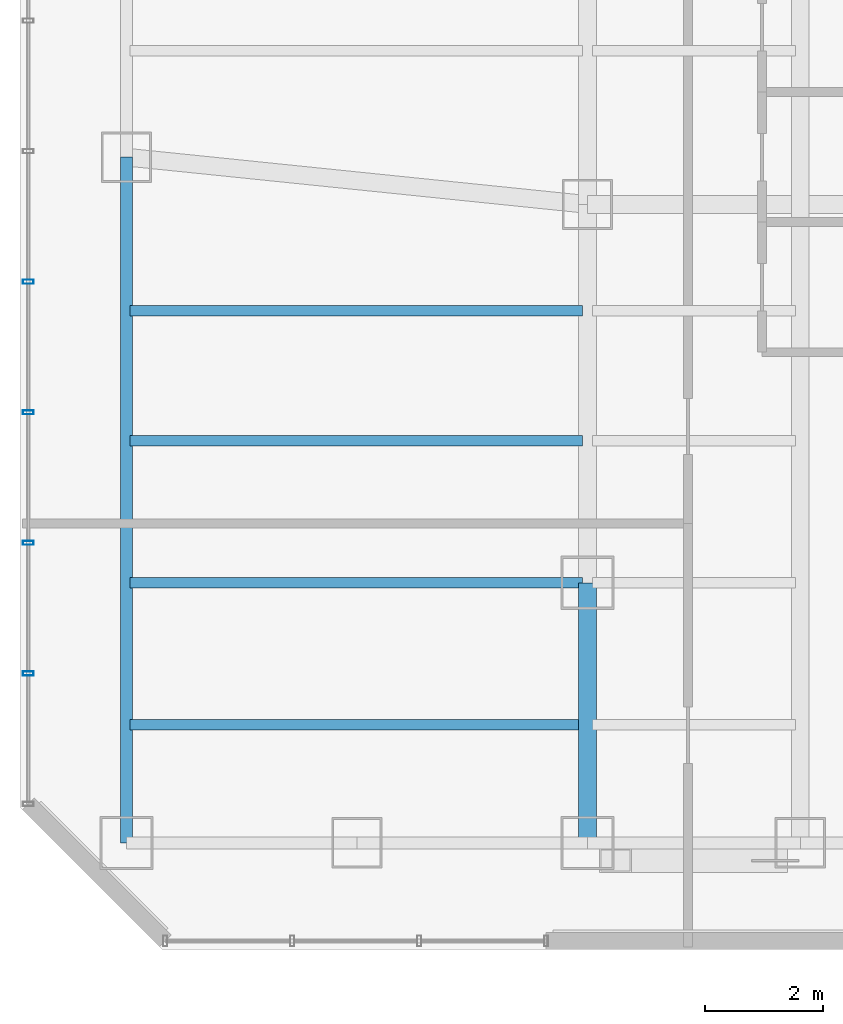
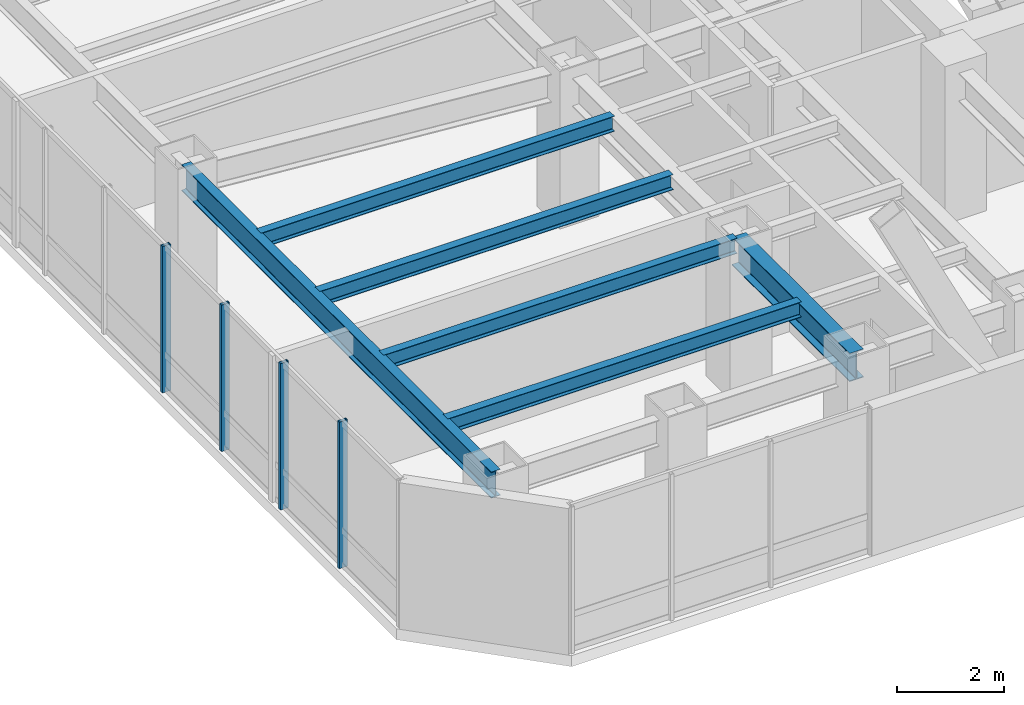
# One storey, part 4 of 30: 6 beams, 4 members, 1 element without a shape of its own.
"""IFC4 building model written with IfcOpenShell, lengths in metres."""

from ifc_helpers import new_model, si_unit, direction, frame, origin, origin_2d, place, context, subcontext, project, spatial, hollow_rectangle, i_section, extrude, material, layer, layer_set, material_profile, profile_set, type_object, element, aggregate, save


model = new_model("IFC4")

# Units and contexts
model_context = context("Model", 3, precision=1e-05, world=origin(), true_north=direction((0.0, 1.0)))
body_context = subcontext(model_context, "Body", "Model", "MODEL_VIEW")
ifc_project = project(units=[si_unit("LENGTHUNIT", "METRE"), si_unit("AREAUNIT", "SQUARE_METRE"), si_unit("VOLUMEUNIT", "CUBIC_METRE"), si_unit("PLANEANGLEUNIT", "RADIAN"), si_unit("MASSUNIT", "GRAM", prefix="KILO")], contexts=[model_context])

# Site, building, storey
site_placement = place(None, origin())
site = spatial("IfcSite", under=ifc_project, at=site_placement, CompositionType="ELEMENT")
building_placement = place(site_placement, origin())
building = spatial("IfcBuilding", under=site, at=building_placement, Name="Hatsunagi Terrace Concourse", CompositionType="ELEMENT")
storey_placement = place(building_placement, frame((0.0, 0.0, 101.25)))
storey = spatial("IfcBuildingStorey", under=building, at=storey_placement, Name="L26", CompositionType="ELEMENT", Elevation=101.25)

# Curtain wall, members
ifc_material_1 = material(Name="Anodised Aluminium Alloy 6063-T5", Category="aluminium")
ifc_layer = layer(ifc_material_1, 0.199951171875)
ifc_layer_set = layer_set([ifc_layer], Name="OfficeZone1_CW03")
curtain_wall_type = type_object("IfcCurtainWallType", Name="OfficeZone1_CW03", PredefinedType="NOTDEFINED", material=ifc_layer_set)
curtain_wall_placement = place(storey_placement, origin())
curtain_wall = element("IfcCurtainWall", 1, at=curtain_wall_placement, inside=storey, type_object=curtain_wall_type, Name="Unitised Curtain Wall CW-03 CW-L26-09", PredefinedType="NOTDEFINED")
ifc_material_2 = material(Name="Anodised Aluminium Alloy 6063-T5", Category="aluminium")
ifc_material_profile_1 = material_profile(ifc_material_2, hollow_rectangle(XDim=0.070068359375, YDim=0.179931640625, WallThickness=0.00390625, at=origin_2d()), Name="ALU-MUL-180x70x4")
ifc_profile_set_1 = profile_set([ifc_material_profile_1], Name="Anodised Aluminium Alloy 6063-T5")
member_type = type_object("IfcMemberType", Name="CurtainWallMullion_180x70", PredefinedType="MULLION", material=ifc_profile_set_1)
member_1_placement = place(storey_placement, frame((9.739990234375, 28.06591796875, 0.0), z_axis=(0.0, 0.0, 1.0), x_axis=(0.0, 1.0, 0.0)))
member_1 = element("IfcMember", 2, at=member_1_placement, type_object=member_type, Name="Curtain Wall Mullion MUL-02", PredefinedType="MULLION", context=body_context, shape_type="SweptSolid", body=[
    extrude(hollow_rectangle(XDim=0.070068359375, YDim=0.179931640625, WallThickness=0.00390625, at=origin_2d()), origin(), (0.0, 0.0, 1.0), 3.35009765625),
])
member_2_placement = place(storey_placement, frame((9.739990234375, 30.27490234375, 0.0), z_axis=(0.0, 0.0, 1.0), x_axis=(0.0, 1.0, 0.0)))
member_2 = element("IfcMember", 3, at=member_2_placement, type_object=member_type, Name="Curtain Wall Mullion MUL-02", PredefinedType="MULLION", context=body_context, shape_type="SweptSolid", body=[
    extrude(hollow_rectangle(XDim=0.070068359375, YDim=0.179931640625, WallThickness=0.00390625, at=origin_2d()), origin(), (0.0, 0.0, 1.0), 3.35009765625),
])
member_3_placement = place(storey_placement, frame((9.739990234375, 32.48291015625, 0.0), z_axis=(0.0, 0.0, 1.0), x_axis=(0.0, 1.0, 0.0)))
member_3 = element("IfcMember", 4, at=member_3_placement, type_object=member_type, Name="Curtain Wall Mullion MUL-02", PredefinedType="MULLION", context=body_context, shape_type="SweptSolid", body=[
    extrude(hollow_rectangle(XDim=0.070068359375, YDim=0.179931640625, WallThickness=0.00390625, at=origin_2d()), origin(), (0.0, 0.0, 1.0), 3.35009765625),
])
member_4_placement = place(storey_placement, frame((9.739990234375, 34.69189453125, 0.0), z_axis=(0.0, 0.0, 1.0), x_axis=(0.0, 1.0, 0.0)))
member_4 = element("IfcMember", 5, at=member_4_placement, type_object=member_type, Name="Curtain Wall Mullion MUL-02", PredefinedType="MULLION", context=body_context, shape_type="SweptSolid", body=[
    extrude(hollow_rectangle(XDim=0.070068359375, YDim=0.179931640625, WallThickness=0.00390625, at=origin_2d()), origin(), (0.0, 0.0, 1.0), 3.35009765625),
])
aggregate(curtain_wall, [member_1, member_2, member_3, member_4])

# Beams
ifc_material_3 = material(Name="Steel SN490B", Category="steel")
ifc_material_profile_2 = material_profile(ifc_material_3, i_section(OverallWidth=0.175048828125, OverallDepth=0.35009765625, WebThickness=0.007080078125, FlangeThickness=0.010986328125, FilletRadius=0.012939453125, at=origin_2d()), Name="H-350x175x7x11")
ifc_profile_set_2 = profile_set([ifc_material_profile_2], Name="Steel SN490B")
beam_type_1 = type_object("IfcBeamType", Name="HotelJoist_H_350x175", PredefinedType="JOIST", material=ifc_profile_set_2)
for number, where, z_axis, x_axis, name in (
    (6, (11.465087890625, 27.199951171875, 3.175048828125), (1.0, 0.0, 0.0), (0.0, 1.0, 0.0), "Beam J-02 J-L26-W-11-272"),
    (7, (11.465087890625, 29.60009765625, 3.175048828125), (1.0, 0.0, 0.0), (0.0, 1.0, 0.0), "Beam J-02 J-L26-W-11-296"),
    (8, (11.465087890625, 32.0, 3.175048828125), (1.0, 0.0, 0.0), (0.0, 1.0, 0.0), "Beam J-02 J-L26-W-11-320"),
    (9, (11.465087890625, 34.199951171875, 3.175048828125), (1.0, 0.0, 0.0), (0.0, 1.0, 0.0), "Beam J-02 J-L26-W-11-342"),
):
    element("IfcBeam", number, at=place(storey_placement, frame(where, z_axis=z_axis, x_axis=x_axis)), inside=storey, type_object=beam_type_1, Name=name, PredefinedType="JOIST", context=body_context, shape_type="SweptSolid", body=[
        extrude(i_section(OverallWidth=0.175048828125, OverallDepth=0.35009765625, WebThickness=0.007080078125, FlangeThickness=0.010986328125, FilletRadius=0.012939453125, at=origin_2d()), origin(), (0.0, 0.0, 1.0), 7.64990234375),
    ])
ifc_material_4 = material(Name="Steel SN490B", Category="steel")
ifc_material_profile_3 = material_profile(ifc_material_4, i_section(OverallWidth=0.300048828125, OverallDepth=0.64990234375, WebThickness=0.012939453125, FlangeThickness=0.02197265625, FilletRadius=0.01806640625, at=origin_2d()), Name="H-650x300x13x22")
ifc_profile_set_3 = profile_set([ifc_material_profile_3], Name="Steel SN490B")
beam_type_2 = type_object("IfcBeamType", Name="OfficeLowGirder_H_650x300", PredefinedType="BEAM", material=ifc_profile_set_3)
beam_1_placement = place(storey_placement, frame((19.199951171875, 25.199951171875, 3.02490234375), z_axis=(0.0, 1.0, 0.0), x_axis=(-1.0, 0.0, 0.0)))
element("IfcBeam", 10, at=beam_1_placement, inside=storey, type_object=beam_type_2, Name="Beam G-05 BM-L26-NS-19-25", PredefinedType="BEAM", context=body_context, shape_type="SweptSolid", body=[
    extrude(i_section(OverallWidth=0.300048828125, OverallDepth=0.64990234375, WebThickness=0.012939453125, FlangeThickness=0.02197265625, FilletRadius=0.01806640625, at=origin_2d()), origin(), (0.0, 0.0, 1.0), 4.400146484375),
])
ifc_material_5 = material(Name="Steel SN490B", Category="steel")
ifc_material_profile_4 = material_profile(ifc_material_5, i_section(OverallWidth=0.199951171875, OverallDepth=0.60009765625, WebThickness=0.010986328125, FlangeThickness=0.01708984375, FilletRadius=0.01806640625, at=origin_2d()), Name="H-600x200x11x17")
ifc_profile_set_4 = profile_set([ifc_material_profile_4], Name="Steel SN490B")
beam_type_3 = type_object("IfcBeamType", Name="PerimeterSpandrel_H_600x200", PredefinedType="SPANDREL", material=ifc_profile_set_4)
beam_2_placement = place(storey_placement, frame((11.39990234375, 25.199951171875, 3.050048828125), z_axis=(0.0, 1.0, 0.0), x_axis=(-1.0, 0.0, 0.0)))
element("IfcBeam", 11, at=beam_2_placement, inside=storey, type_object=beam_type_3, Name="Beam SP-01 BM-L26-NS-11-25", PredefinedType="SPANDREL", context=body_context, shape_type="SweptSolid", body=[
    extrude(i_section(OverallWidth=0.199951171875, OverallDepth=0.60009765625, WebThickness=0.010986328125, FlangeThickness=0.01708984375, FilletRadius=0.01806640625, at=origin_2d()), origin(), (0.0, 0.0, 1.0), 11.60009765625),
])

save(model, "model.ifc")
